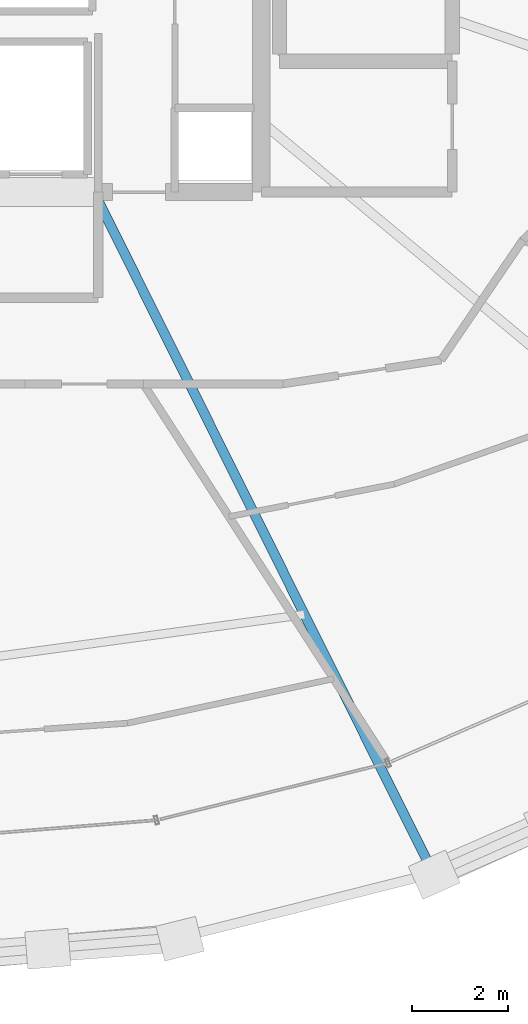
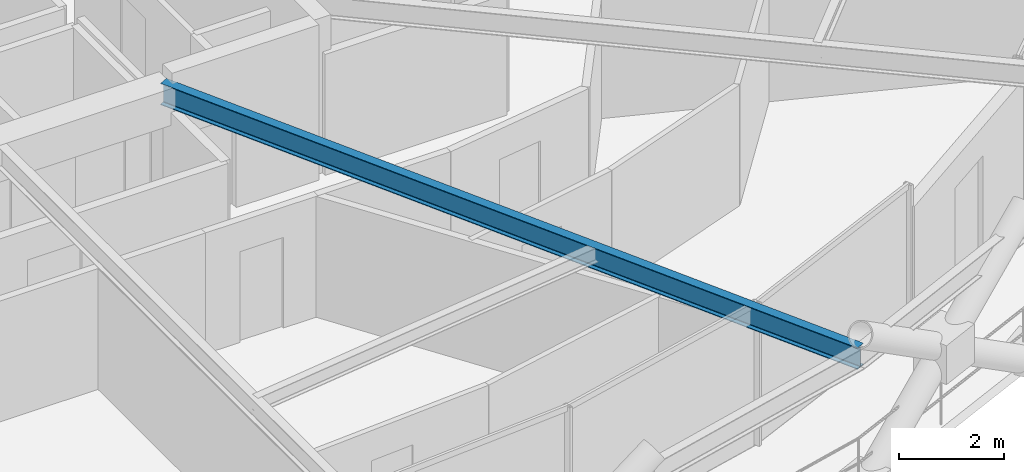
# One storey, part 6 of 19: 1 beam.
"""IFC4 building model written with IfcOpenShell, lengths in metres."""

from ifc_helpers import new_model, si_unit, direction, frame, origin, origin_2d, place, context, subcontext, project, spatial, i_section, extrude, material, material_profile, profile_set, type_object, element, save


model = new_model("IFC4")

# Units and contexts
model_context = context("Model", 3, precision=1e-05, world=origin(), true_north=direction((0.0, 1.0)))
body_context = subcontext(model_context, "Body", "Model", "MODEL_VIEW")
ifc_project = project(units=[si_unit("LENGTHUNIT", "METRE"), si_unit("AREAUNIT", "SQUARE_METRE"), si_unit("VOLUMEUNIT", "CUBIC_METRE"), si_unit("PLANEANGLEUNIT", "RADIAN"), si_unit("MASSUNIT", "GRAM", prefix="KILO")], contexts=[model_context])

# Site, building, storey
site_placement = place(None, origin())
site = spatial("IfcSite", under=ifc_project, at=site_placement, CompositionType="ELEMENT")
building_placement = place(site_placement, origin())
building = spatial("IfcBuilding", under=site, at=building_placement, Name="Veldorina Hangang Commons", CompositionType="ELEMENT")
storey_placement = place(building_placement, frame((0.0, 0.0, 156.800048828125)))
storey = spatial("IfcBuildingStorey", under=building, at=storey_placement, Name="L40", CompositionType="ELEMENT", Elevation=156.800048828125)

# Beam
ifc_material = material(Name="Steel SM420-TMC", Category="steel")
ifc_material_profile = material_profile(ifc_material, i_section(OverallWidth=0.199951171875, OverallDepth=0.5, WebThickness=0.010009765625, FlangeThickness=0.01611328125, FilletRadius=0.01611328125, at=origin_2d()), Name="H-500x200x10x16")
ifc_profile_set = profile_set([ifc_material_profile], Name="Steel SM420-TMC")
beam_type = type_object("IfcBeamType", Name="BM-FG500", PredefinedType="BEAM", material=ifc_profile_set)
beam_placement = place(storey_placement, frame((35.71240234375, 16.550048828125, 3.099853515625), z_axis=(0.446006974512, -0.895029484814, 0.0), x_axis=(0.895029484814, 0.446006974512, 0.0)))
element("IfcBeam", 1, at=beam_placement, inside=storey, type_object=beam_type, Name="L40 radial floor girder 14", PredefinedType="BEAM", context=body_context, shape_type="SweptSolid", body=[
    extrude(i_section(OverallWidth=0.199951171875, OverallDepth=0.5, WebThickness=0.010009765625, FlangeThickness=0.01611328125, FilletRadius=0.01611328125, at=origin_2d()), origin(), (0.0, 0.0, 1.0), 15.868408203125),
])

save(model, "model.ifc")
